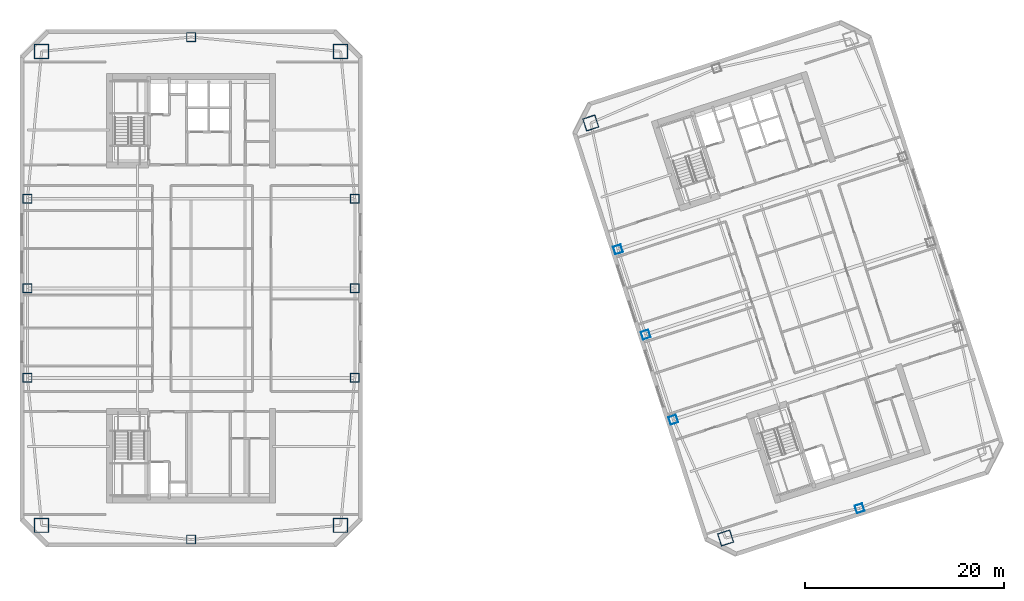
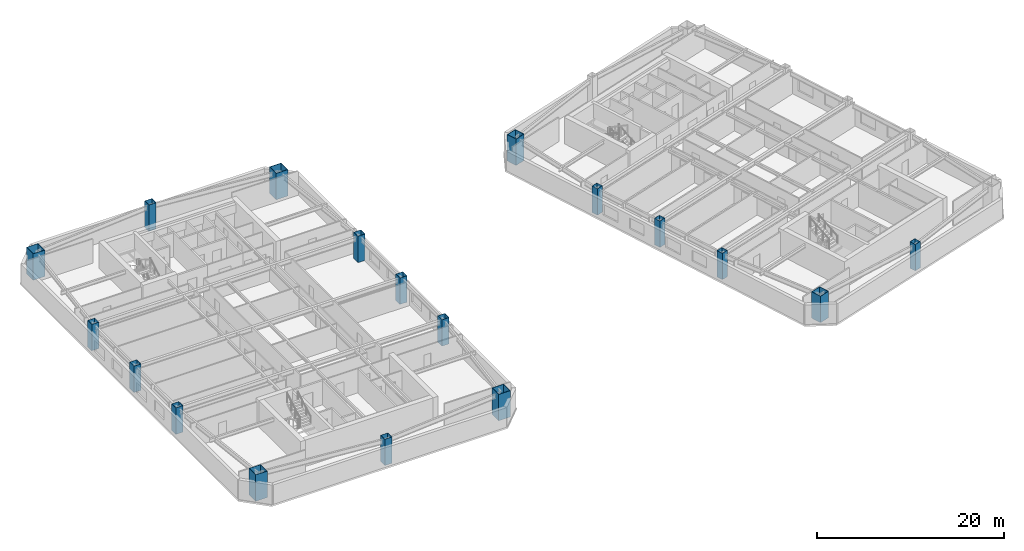
# One storey, part 1 of 13: 18 columns.
"""IFC4 building model written with IfcOpenShell, lengths in metres."""

import ifcopenshell
import ifcopenshell.guid

model = None  # the IFC model being written
_history = None  # IfcOwnerHistory: only IFC2X3 demands one
_inside = {}  # id of a spatial element -> (the spatial element, [elements in it])
_under = {}  # id of a project, library or spatial element -> (it, [spatial elements below it])
_declared = {}  # id of a project -> (the project, [libraries it declares])
_typed = {}  # id of a type object -> (the type object, [elements of that type])
_made_of = {}  # id of a material, layer set ... -> (it, [elements and type objects made of it])


def new_model(schema):
    """Start an empty IFC model of exactly this schema.

    Asked for "IFC4X3", IfcOpenShell would pick the latest addendum, in which some entities
    have other attributes; the version numbers below select the first issue.
    IFC2X3 requires an IfcOwnerHistory on every rooted entity: one is made here for all.
    """
    global model, _history
    if schema == "IFC4X3":
        model = ifcopenshell.file(schema_version=(4, 3, 0, 0))
    else:
        model = ifcopenshell.file(schema=schema)
    _inside.clear()
    _under.clear()
    _declared.clear()
    _typed.clear()
    _made_of.clear()
    _history = None
    if model.schema == "IFC2X3":
        org = make("IfcOrganization", Name="unknown")
        user = make(
            "IfcPersonAndOrganization",
            ThePerson=make("IfcPerson", FamilyName="unknown"),
            TheOrganization=org,
        )
        app = make(
            "IfcApplication",
            ApplicationDeveloper=org,
            Version="unknown",
            ApplicationFullName="unknown",
            ApplicationIdentifier="unknown",
        )
        _history = make(
            "IfcOwnerHistory",
            OwningUser=user,
            OwningApplication=app,
            ChangeAction="ADDED",
            CreationDate=0,
        )
    return model


def make(cls, **values):
    """One entity of the class cls with the attributes given. An attribute that is None is left unset."""
    return model.create_entity(
        cls, **{name: value for name, value in values.items() if value is not None}
    )


def rooted(cls, **values):
    """An entity with a GlobalId (a new one), such as an element, a storey or a relation."""
    return make(cls, GlobalId=ifcopenshell.guid.new(), OwnerHistory=_history, **values)


def si_unit(unit_type, name, prefix=None):
    """IfcSIUnit, for example si_unit("LENGTHUNIT", "METRE", prefix="MILLI")."""
    return make("IfcSIUnit", UnitType=unit_type, Prefix=prefix, Name=name)


def assignment(units):
    """IfcUnitAssignment: the units of a project."""
    return None if units is None else make("IfcUnitAssignment", Units=units)


def point(xyz):
    """IfcCartesianPoint."""
    return None if xyz is None else make("IfcCartesianPoint", Coordinates=xyz)


def direction(xyz):
    """IfcDirection."""
    return None if xyz is None else make("IfcDirection", DirectionRatios=xyz)


def frame(location, z_axis=None, x_axis=None):
    """IfcAxis2Placement3D, a coordinate frame: its origin and axes. An axis left out is left unset."""
    return make(
        "IfcAxis2Placement3D",
        Location=point(location),
        Axis=direction(z_axis),
        RefDirection=direction(x_axis),
    )


def frame_2d(location, x_axis=None):
    """IfcAxis2Placement2D, a coordinate frame in the plane: its origin and x axis."""
    return make(
        "IfcAxis2Placement2D", Location=point(location), RefDirection=direction(x_axis)
    )


def origin():
    """The frame at (0, 0, 0) with its axes left unset."""
    return frame((0.0, 0.0, 0.0))


def origin_2d():
    """The frame at (0, 0) in the plane with its x axis left unset."""
    return frame_2d((0.0, 0.0))


def place(relative_to, where):
    """IfcLocalPlacement: puts the frame where relative to a parent placement (None: the world)."""
    return make(
        "IfcLocalPlacement", PlacementRelTo=relative_to, RelativePlacement=where
    )


def context(
    kind, dimensions, precision=None, world=None, true_north=None, identifier=None
):
    """IfcGeometricRepresentationContext, for example the 3D "Model" context."""
    return make(
        "IfcGeometricRepresentationContext",
        ContextIdentifier=identifier,
        ContextType=kind,
        CoordinateSpaceDimension=dimensions,
        Precision=precision,
        WorldCoordinateSystem=world,
        TrueNorth=true_north,
    )


def subcontext(parent, identifier, kind, view, scale=None):
    """IfcGeometricRepresentationSubContext, for example "Body" below "Model"."""
    return make(
        "IfcGeometricRepresentationSubContext",
        ContextIdentifier=identifier,
        ContextType=kind,
        ParentContext=parent,
        TargetScale=scale,
        TargetView=view,
    )


def project(units=None, contexts=None):
    """IfcProject with its units and contexts."""
    return rooted(
        "IfcProject",
        Name="project",
        RepresentationContexts=contexts,
        UnitsInContext=assignment(units),
    )


def spatial(cls, under=None, at=None, **own):
    """A site, building, storey or space (cls), placed at a placement, below another one or the project."""
    s = rooted(cls, ObjectPlacement=at, **own)
    if under is not None:
        _under.setdefault(under.id(), (under, []))[1].append(s)
    return s


def profile(cls, at=None, kind="AREA", **sizes):
    """A parametric profile (cls). Its sizes go by their IFC names, for example OverallWidth=200.0."""
    return make(cls, ProfileType=kind, Position=at, **sizes)


def hollow_rectangle(**sizes):
    """IfcRectangleHollowProfileDef."""
    return profile("IfcRectangleHollowProfileDef", **sizes)


def extrude(swept, where, along, depth):
    """IfcExtrudedAreaSolid: the profile swept, set in the frame where, extruded along a direction by depth."""
    return make(
        "IfcExtrudedAreaSolid",
        SweptArea=swept,
        Position=where,
        ExtrudedDirection=direction(along),
        Depth=depth,
    )


def shape(context_of_items, identifier, shape_type, items):
    """IfcShapeRepresentation: the items that make up one representation, for example the "Body"."""
    return make(
        "IfcShapeRepresentation",
        ContextOfItems=context_of_items,
        RepresentationIdentifier=identifier,
        RepresentationType=shape_type,
        Items=items,
    )


def material(Name=None, Category=None):
    """IfcMaterial."""
    return make("IfcMaterial", Name=Name, Category=Category)


def material_profile(
    of_material, cross_section, Name=None, Category=None, Priority=None
):
    """IfcMaterialProfile: a cross section and its material."""
    return make(
        "IfcMaterialProfile",
        Name=Name,
        Material=of_material,
        Profile=cross_section,
        Priority=Priority,
        Category=Category,
    )


def profile_set(profiles, Name=None, composite=None):
    """IfcMaterialProfileSet."""
    return make(
        "IfcMaterialProfileSet",
        Name=Name,
        MaterialProfiles=profiles,
        CompositeProfile=composite,
    )


def made_of(thing, what):
    """Note that an element or type object is made of a material, layer set ...; save() writes the relation."""
    if what is not None:
        _made_of.setdefault(what.id(), (what, []))[1].append(thing)
    return thing


def type_object(cls, material=None, **own):
    """A type object (cls), such as IfcWallType, which elements share."""
    return made_of(rooted(cls, **own), material)


def element(
    cls,
    number,
    at=None,
    inside=None,
    cuts=None,
    type_object=None,
    material=None,
    context=None,
    identifier="Body",
    shape_type=None,
    held_by="IfcProductDefinitionShape",
    body=None,
    shapes=None,
    **own,
):
    """One element of the class cls, such as IfcWall. Its Tag is "e" and its number.

    at: its placement. inside: the storey or other place that contains it. cuts: it is an
    opening in that element (IfcRelVoidsElement). A single representation is given by context,
    identifier, shape_type and body (its items); several are given by shapes. held_by: the class
    of the entity that holds the representations. save() writes the other relations.
    """
    e = rooted(cls, Tag="e%d" % number, ObjectPlacement=at, **own)
    if body is not None:
        shapes = [shape(context, identifier, shape_type, body)]
    if shapes is not None:
        e.Representation = make(held_by, Representations=shapes)
    if inside is not None:
        _inside.setdefault(inside.id(), (inside, []))[1].append(e)
    if cuts is not None:
        rooted(
            "IfcRelVoidsElement", RelatingBuildingElement=cuts, RelatedOpeningElement=e
        )
    if type_object is not None:
        _typed.setdefault(type_object.id(), (type_object, []))[1].append(e)
    return made_of(e, material)


def aggregate(whole, parts):
    """IfcRelAggregates: a whole, such as a stair, and the parts it consists of."""
    return rooted("IfcRelAggregates", RelatingObject=whole, RelatedObjects=parts)


def save(model, path):
    """Write the relations noted so far, then the file.

    IfcRelAggregates (storeys below a building ...), IfcRelContainedInSpatialStructure (elements
    in a storey), IfcRelDefinesByType, IfcRelAssociatesMaterial and IfcRelDeclares: one each for
    every whole, place, type object, material and project.
    """
    for whole, parts in _under.values():
        aggregate(whole, parts)
    for where, things in _inside.values():
        rooted(
            "IfcRelContainedInSpatialStructure",
            RelatedElements=things,
            RelatingStructure=where,
        )
    for kind, things in _typed.values():
        rooted("IfcRelDefinesByType", RelatedObjects=things, RelatingType=kind)
    for what, things in _made_of.values():
        rooted("IfcRelAssociatesMaterial", RelatedObjects=things, RelatingMaterial=what)
    for by, libraries in _declared.values():
        rooted("IfcRelDeclares", RelatingContext=by, RelatedDefinitions=libraries)
    model.write(path)


model = new_model("IFC4")

# Units and contexts
model_context = context("Model", 3, precision=1e-05, world=origin(), true_north=direction((0.0, 1.0)))
body_context = subcontext(model_context, "Body", "Model", "MODEL_VIEW")
ifc_project = project(units=[si_unit("LENGTHUNIT", "METRE"), si_unit("AREAUNIT", "SQUARE_METRE"), si_unit("VOLUMEUNIT", "CUBIC_METRE"), si_unit("PLANEANGLEUNIT", "RADIAN"), si_unit("MASSUNIT", "GRAM", prefix="KILO")], contexts=[model_context])

# Site, building, storey
site_placement = place(None, origin())
site = spatial("IfcSite", under=ifc_project, at=site_placement, CompositionType="ELEMENT")
building_placement = place(site_placement, origin())
building = spatial("IfcBuilding", under=site, at=building_placement, Name="Qiaolan Cultural Towers", CompositionType="ELEMENT")
storey_placement = place(building_placement, frame((0.0, 0.0, 180.550048828125)))
storey = spatial("IfcBuildingStorey", under=building, at=storey_placement, Name="L48", CompositionType="ELEMENT", Elevation=180.550048828125)

# Columns
ifc_material_1 = material(Name="Steel Q390GJB", Category="steel")
ifc_material_profile_1 = material_profile(ifc_material_1, hollow_rectangle(XDim=1.300048828125, YDim=1.300048828125, WallThickness=0.044921875, at=origin_2d()), Name="BOX1300x1300x45")
ifc_profile_set_1 = profile_set([ifc_material_profile_1], Name="Steel Q390GJB")
column_type_1 = type_object("IfcColumnType", Name="COL-BOX1300x1300x45", PredefinedType="COLUMN", material=ifc_profile_set_1)
for number, where, z_axis, x_axis, name in (
    (1, (83.71875, 8.900634765625, 0.0), (0.0, 0.0, 1.0), (0.951056516295, 0.309016994375, 0.0), "L48 T2 Perimeter Column MC-SW"),
    (2, (70.165283203125, 50.61376953125, 0.0), (0.0, 0.0, 1.0), (0.951056516295, 0.309016994375, 0.0), "L48 T2 Perimeter Column MC-NW"),
):
    element("IfcColumn", number, at=place(storey_placement, frame(where, z_axis=z_axis, x_axis=x_axis)), inside=storey, type_object=column_type_1, Name=name, PredefinedType="COLUMN", context=body_context, shape_type="SweptSolid", body=[
        extrude(hollow_rectangle(XDim=1.300048828125, YDim=1.300048828125, WallThickness=0.044921875, at=origin_2d()), origin(), (0.0, 0.0, 1.0), 3.450927734375),
    ])
ifc_material_2 = material(Name="Steel Q420GJB", Category="steel")
ifc_material_profile_2 = material_profile(ifc_material_2, hollow_rectangle(XDim=1.449951171875, YDim=1.449951171875, WallThickness=0.050048828125, at=origin_2d()), Name="BOX1450x1450x50")
ifc_profile_set_2 = profile_set([ifc_material_profile_2], Name="Steel Q420GJB")
column_type_2 = type_object("IfcColumnType", Name="COL-BOX1450x1450x50", PredefinedType="COLUMN", material=ifc_profile_set_2)
for number, where, z_axis, x_axis, name in (
    (3, (14.97998046875, 10.179931640625, 0.0), (0.0, 0.0, 1.0), (1.0, 0.0, 0.0), "L48 T1 Perimeter Column MC-SW"),
    (4, (45.02001953125, 10.179931640625, 0.0), (0.0, 0.0, 1.0), (1.0, 0.0, 0.0), "L48 T1 Perimeter Column MC-SE"),
    (5, (45.02001953125, 57.820068359375, 0.0), (0.0, 0.0, 1.0), (1.0, 0.0, 0.0), "L48 T1 Perimeter Column MC-NE"),
    (6, (14.97998046875, 57.820068359375, 0.0), (0.0, 0.0, 1.0), (1.0, 0.0, 0.0), "L48 T1 Perimeter Column MC-NW"),
):
    element("IfcColumn", number, at=place(storey_placement, frame(where, z_axis=z_axis, x_axis=x_axis)), inside=storey, type_object=column_type_2, Name=name, PredefinedType="COLUMN", context=body_context, shape_type="SweptSolid", body=[
        extrude(hollow_rectangle(XDim=1.449951171875, YDim=1.449951171875, WallThickness=0.050048828125, at=origin_2d()), origin(), (0.0, 0.0, 1.0), 3.450927734375),
    ])
ifc_material_3 = material(Name="Steel Q355B", Category="steel")
ifc_material_profile_3 = material_profile(ifc_material_3, hollow_rectangle(XDim=0.800048828125, YDim=0.800048828125, WallThickness=0.028076171875, at=origin_2d()), Name="BOX800x800x28")
ifc_profile_set_3 = profile_set([ifc_material_profile_3], Name="Steel Q355B")
column_type_3 = type_object("IfcColumnType", Name="COL-BOX800x800x28", PredefinedType="COLUMN", material=ifc_profile_set_3)
for number, where, z_axis, x_axis, name in (
    (7, (78.4677734375, 20.789794921875, 0.0), (0.0, 0.0, 1.0), (0.951056516295, 0.309016994375, 0.0), "L48 T2 Perimeter Column PC-W1"),
    (8, (75.6865234375, 29.349365234375, 0.0), (0.0, 0.0, 1.0), (0.951056516295, 0.309016994375, 0.0), "L48 T2 Perimeter Column PC-W2"),
    (9, (72.905517578125, 37.90869140625, 0.0), (0.0, 0.0, 1.0), (0.951056516295, 0.309016994375, 0.0), "L48 T2 Perimeter Column PC-W3"),
    (10, (97.1845703125, 11.887939453125, 0.0), (0.0, 0.0, 1.0), (0.951056516295, 0.309016994375, 0.0), "L48 T2 Perimeter Column PC-S0"),
):
    element("IfcColumn", number, at=place(storey_placement, frame(where, z_axis=z_axis, x_axis=x_axis)), inside=storey, type_object=column_type_3, Name=name, PredefinedType="COLUMN", context=body_context, shape_type="SweptSolid", body=[
        extrude(hollow_rectangle(XDim=0.800048828125, YDim=0.800048828125, WallThickness=0.028076171875, at=origin_2d()), origin(), (0.0, 0.0, 1.0), 3.450927734375),
    ])
ifc_material_4 = material(Name="Steel Q355B", Category="steel")
ifc_material_profile_4 = material_profile(ifc_material_4, hollow_rectangle(XDim=0.89990234375, YDim=0.89990234375, WallThickness=0.031982421875, at=origin_2d()), Name="BOX900x900x32")
ifc_profile_set_4 = profile_set([ifc_material_profile_4], Name="Steel Q355B")
column_type_4 = type_object("IfcColumnType", Name="COL-BOX900x900x32", PredefinedType="COLUMN", material=ifc_profile_set_4)
for number, where, z_axis, x_axis, name in (
    (11, (13.550048828125, 25.0, 0.0), (0.0, 0.0, 1.0), (1.0, 0.0, 0.0), "L48 T1 Perimeter Column PC-W1"),
    (12, (13.550048828125, 34.0, 0.0), (0.0, 0.0, 1.0), (1.0, 0.0, 0.0), "L48 T1 Perimeter Column PC-W2"),
    (13, (13.550048828125, 43.0, 0.0), (0.0, 0.0, 1.0), (1.0, 0.0, 0.0), "L48 T1 Perimeter Column PC-W3"),
    (14, (46.449951171875, 25.0, 0.0), (0.0, 0.0, 1.0), (1.0, 0.0, 0.0), "L48 T1 Perimeter Column PC-E1"),
    (15, (46.449951171875, 34.0, 0.0), (0.0, 0.0, 1.0), (1.0, 0.0, 0.0), "L48 T1 Perimeter Column PC-E2"),
    (16, (46.449951171875, 43.0, 0.0), (0.0, 0.0, 1.0), (1.0, 0.0, 0.0), "L48 T1 Perimeter Column PC-E3"),
    (17, (30.0, 8.75, 0.0), (0.0, 0.0, 1.0), (1.0, 0.0, 0.0), "L48 T1 Perimeter Column PC-S0"),
    (18, (30.0, 59.25, 0.0), (0.0, 0.0, 1.0), (1.0, 0.0, 0.0), "L48 T1 Perimeter Column PC-N0"),
):
    element("IfcColumn", number, at=place(storey_placement, frame(where, z_axis=z_axis, x_axis=x_axis)), inside=storey, type_object=column_type_4, Name=name, PredefinedType="COLUMN", context=body_context, shape_type="SweptSolid", body=[
        extrude(hollow_rectangle(XDim=0.89990234375, YDim=0.89990234375, WallThickness=0.031982421875, at=origin_2d()), origin(), (0.0, 0.0, 1.0), 3.450927734375),
    ])

save(model, "model.ifc")
